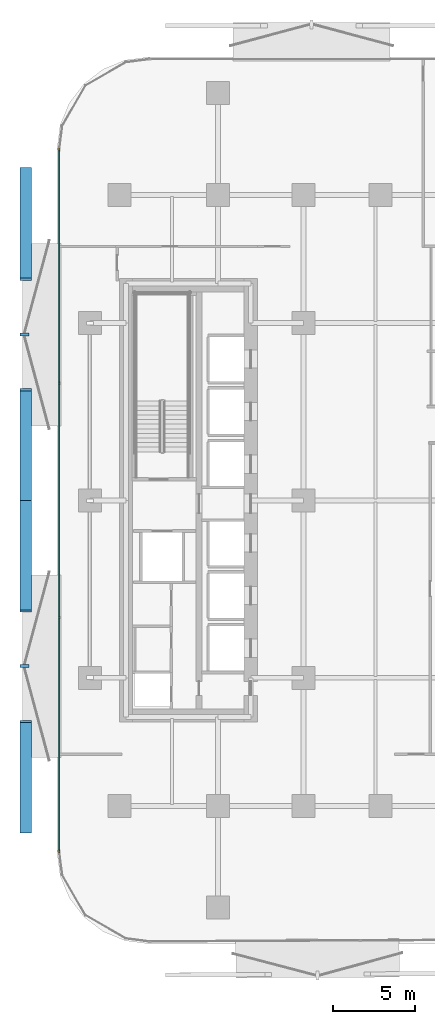
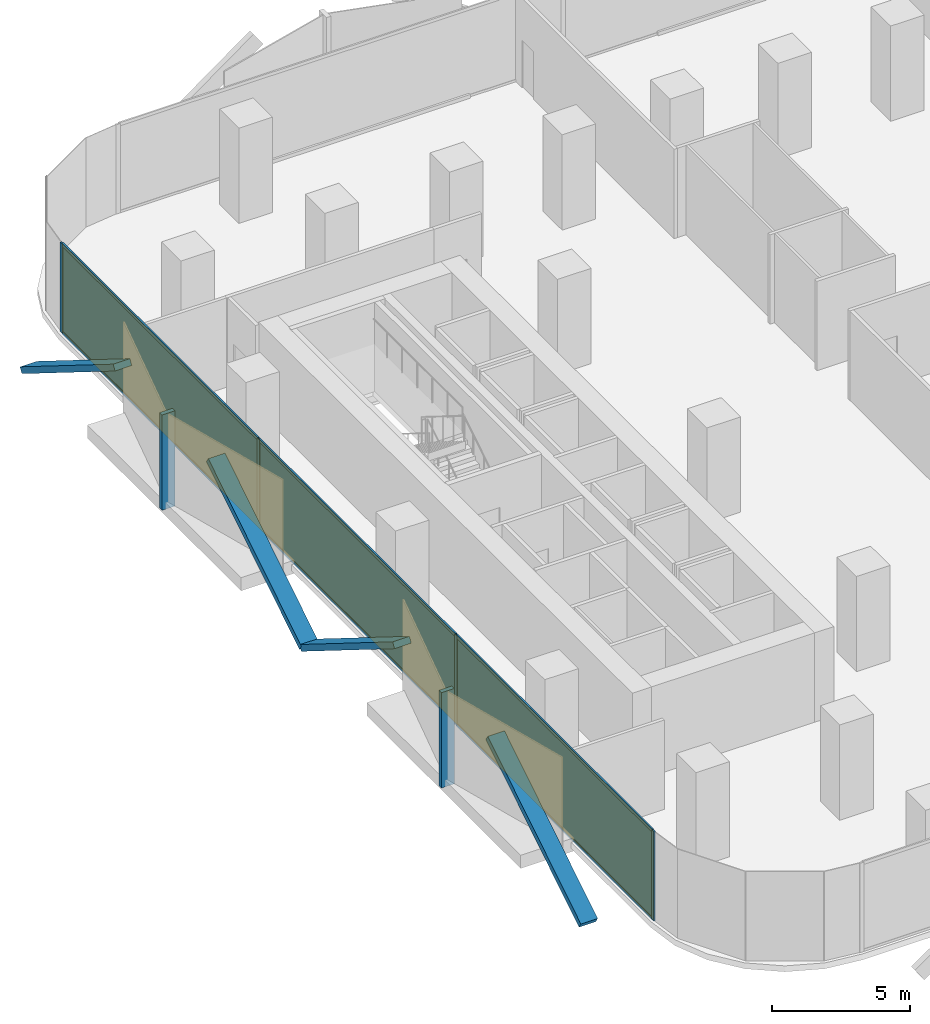
# One storey, part 7 of 14: 16 members, 3 plates, 1 curtain wall.
"""IFC4 building model written with IfcOpenShell, lengths in metres."""

from ifc_helpers import new_model, si_unit, direction, frame, frame_2d, origin, origin_2d, place, context, subcontext, project, spatial, rectangle, extrude, material, layer, layer_set, material_profile, profile_set, type_object, element, aggregate, save


model = new_model("IFC4")

# Units and contexts
model_context = context("Model", 3, precision=1e-05, world=origin(), true_north=direction((0.0, 1.0)))
body_context = subcontext(model_context, "Body", "Model", "MODEL_VIEW")
ifc_project = project(units=[si_unit("LENGTHUNIT", "METRE"), si_unit("AREAUNIT", "SQUARE_METRE"), si_unit("VOLUMEUNIT", "CUBIC_METRE"), si_unit("PLANEANGLEUNIT", "RADIAN"), si_unit("MASSUNIT", "GRAM", prefix="KILO")], contexts=[model_context])

# Member
ifc_material_1 = material(Name="Anodised Bronze Aluminium 6063-T6", Category="aluminium")
ifc_material_profile_1 = material_profile(ifc_material_1, rectangle(XDim=0.260009765625, YDim=0.699951171875, at=origin_2d()))
ifc_profile_set_1 = profile_set([ifc_material_profile_1], Name="Anodised Bronze Aluminium 6063-T6")
member_type_1 = type_object("IfcMemberType", Name="Bronze Diamond Solar-Screen Lattice Rib BDL-700", PredefinedType="MULLION", material=ifc_profile_set_1)
site_placement = place(None, origin())
building_placement = place(site_placement, origin())
storey_placement = place(building_placement, frame((0.0, 0.0, 63.800048828125)))
member_1_placement = place(storey_placement, frame((-26.10009765625, -20.19091796875, -0.130126953125), z_axis=(0.0, 0.848357706665, 0.529423461458), x_axis=(0.0, -0.529423461458, 0.848357706665)))
member_1 = element("IfcMember", 1, at=member_1_placement, type_object=member_type_1, Name="L15 Bronze Diamond Solar Screen Lattice Rib 75A", PredefinedType="MULLION", context=body_context, shape_type="SweptSolid", body=[
    extrude(rectangle(XDim=0.260009765625, YDim=0.699951171875, at=origin_2d()), origin(), (0.0, 0.0, 1.0), 7.93359375),
])

member_2_placement = place(storey_placement, frame((-26.10009765625, 0.0, -0.130126953125), z_axis=(0.0, -0.84834908091, 0.529437283273), x_axis=(0.0, 0.529437283273, 0.84834908091)))
member_2 = element("IfcMember", 2, at=member_2_placement, type_object=member_type_1, Name="L15 Bronze Diamond Solar Screen Lattice Rib 75B", PredefinedType="MULLION", context=body_context, shape_type="SweptSolid", body=[
    extrude(rectangle(XDim=0.260009765625, YDim=0.699951171875, at=origin_2d()), origin(), (0.0, 0.0, 1.0), 7.933349609375),
])

member_3_placement = place(storey_placement, frame((-26.10009765625, 0.0, -0.130126953125), z_axis=(0.0, 0.84834908091, 0.529437283273), x_axis=(0.0, -0.529437283273, 0.84834908091)))
member_3 = element("IfcMember", 3, at=member_3_placement, type_object=member_type_1, Name="L15 Bronze Diamond Solar Screen Lattice Rib 76A", PredefinedType="MULLION", context=body_context, shape_type="SweptSolid", body=[
    extrude(rectangle(XDim=0.260009765625, YDim=0.699951171875, at=origin_2d()), origin(), (0.0, 0.0, 1.0), 7.933349609375),
])

member_4_placement = place(storey_placement, frame((-26.10009765625, 20.19091796875, -0.130126953125), z_axis=(0.0, -0.848357706665, 0.529423461458), x_axis=(0.0, 0.529423461458, 0.848357706665)))
member_4 = element("IfcMember", 4, at=member_4_placement, type_object=member_type_1, Name="L15 Bronze Diamond Solar Screen Lattice Rib 76B", PredefinedType="MULLION", context=body_context, shape_type="SweptSolid", body=[
    extrude(rectangle(XDim=0.260009765625, YDim=0.699951171875, at=origin_2d()), origin(), (0.0, 0.0, 1.0), 7.93359375),
])

ifc_material_2 = material(Name="Anodised Bronze Aluminium 6063-T6", Category="aluminium")
ifc_material_profile_2 = material_profile(ifc_material_2, rectangle(XDim=0.179931640625, YDim=0.5400390625, at=origin_2d()))
ifc_profile_set_2 = profile_set([ifc_material_profile_2], Name="Anodised Bronze Aluminium 6063-T6")
member_type_2 = type_object("IfcMemberType", Name="Bronze Solar-Screen Vertical Fold Fin BSF-540", PredefinedType="MULLION", material=ifc_profile_set_2)
member_5_placement = place(storey_placement, frame((-26.179931640625, -10.095458984375, -0.130126953125), z_axis=(0.0, 0.0, 1.0), x_axis=(0.0, 1.0, 0.0)))
member_5 = element("IfcMember", 5, at=member_5_placement, type_object=member_type_2, Name="L15 Bronze Solar Screen Vertical Fin 75", PredefinedType="MULLION", context=body_context, shape_type="SweptSolid", body=[
    extrude(rectangle(XDim=0.179931640625, YDim=0.5400390625, at=origin_2d()), origin(), (0.0, 0.0, 1.0), 4.2001953125),
])

member_6_placement = place(storey_placement, frame((-26.179931640625, 10.095458984375, -0.130126953125), z_axis=(0.0, 0.0, 1.0), x_axis=(0.0, 1.0, 0.0)))
member_6 = element("IfcMember", 6, at=member_6_placement, type_object=member_type_2, Name="L15 Bronze Solar Screen Vertical Fin 76", PredefinedType="MULLION", context=body_context, shape_type="SweptSolid", body=[
    extrude(rectangle(XDim=0.179931640625, YDim=0.5400390625, at=origin_2d()), origin(), (0.0, 0.0, 1.0), 4.2001953125),
])

ifc_material_3 = material(Name="Anodised Bronze Aluminium 6063-T6", Category="aluminium")
ifc_material_profile_3 = material_profile(ifc_material_3, rectangle(XDim=0.06494140625, YDim=0.179931640625, at=origin_2d()))
ifc_profile_set_3 = profile_set([ifc_material_profile_3], Name="Anodised Bronze Aluminium 6063-T6")
member_type_3 = type_object("IfcMemberType", Name="CW-Z1 Mullion 65x180", PredefinedType="MULLION", material=ifc_profile_set_3)
member_7_placement = place(storey_placement, frame((-24.06005859375, -21.3583984375, 0.0), z_axis=(0.0, 0.0, 1.0), x_axis=(-1.0, 0.0, 0.0)))
member_7 = element("IfcMember", 7, at=member_7_placement, type_object=member_type_3, Name="CW-Z1 mullion 1", PredefinedType="MULLION", context=body_context, shape_type="SweptSolid", body=[
    extrude(rectangle(XDim=0.06494140625, YDim=0.179931640625, at=origin_2d()), origin(), (0.0, 0.0, 1.0), 3.93994140625),
])

member_8_placement = place(storey_placement, frame((-24.06005859375, -7.13037109375, 0.0), z_axis=(0.0, 0.0, 1.0), x_axis=(-1.0, 0.0, 0.0)))
member_8 = element("IfcMember", 8, at=member_8_placement, type_object=member_type_3, Name="CW-Z1 mullion 2", PredefinedType="MULLION", context=body_context, shape_type="SweptSolid", body=[
    extrude(rectangle(XDim=0.06494140625, YDim=0.179931640625, at=origin_2d()), origin(), (0.0, 0.0, 1.0), 3.93994140625),
])

member_9_placement = place(storey_placement, frame((-24.06005859375, 7.13037109375, 0.0), z_axis=(0.0, 0.0, 1.0), x_axis=(-1.0, 0.0, 0.0)))
member_9 = element("IfcMember", 9, at=member_9_placement, type_object=member_type_3, Name="CW-Z1 mullion 3", PredefinedType="MULLION", context=body_context, shape_type="SweptSolid", body=[
    extrude(rectangle(XDim=0.06494140625, YDim=0.179931640625, at=origin_2d()), origin(), (0.0, 0.0, 1.0), 3.93994140625),
])

member_10_placement = place(storey_placement, frame((-24.06005859375, 21.3583984375, 0.0), z_axis=(0.0, 0.0, 1.0), x_axis=(-1.0, 0.0, 0.0)))
member_10 = element("IfcMember", 10, at=member_10_placement, type_object=member_type_3, Name="CW-Z1 mullion 4", PredefinedType="MULLION", context=body_context, shape_type="SweptSolid", body=[
    extrude(rectangle(XDim=0.06494140625, YDim=0.179931640625, at=origin_2d()), origin(), (0.0, 0.0, 1.0), 3.93994140625),
])

ifc_material_4 = material(Name="Anodised Bronze Aluminium 6063-T6", Category="aluminium")
ifc_material_profile_4 = material_profile(ifc_material_4, rectangle(XDim=0.06494140625, YDim=0.139892578125, at=origin_2d()))
ifc_profile_set_4 = profile_set([ifc_material_profile_4], Name="Anodised Bronze Aluminium 6063-T6")
member_type_4 = type_object("IfcMemberType", Name="CW-Z1 Transom 65x140", PredefinedType="USERDEFINED", material=ifc_profile_set_4)
member_11_placement = place(storey_placement, frame((-24.06005859375, -21.32568359375, 0.032470703125), z_axis=(0.0, 1.0, 0.0), x_axis=(-1.0, 0.0, 0.0)))
member_11 = element("IfcMember", 11, at=member_11_placement, type_object=member_type_4, Name="CW-Z1 transom 1.1", ObjectType="TRANSOM", PredefinedType="USERDEFINED", context=body_context, shape_type="SweptSolid", body=[
    extrude(rectangle(XDim=0.06494140625, YDim=0.139892578125, at=origin_2d()), origin(), (0.0, 0.0, 1.0), 14.162841796875),
])

member_12_placement = place(storey_placement, frame((-24.06005859375, -21.32568359375, 3.907470703125), z_axis=(0.0, 1.0, 0.0), x_axis=(-1.0, 0.0, 0.0)))
member_12 = element("IfcMember", 12, at=member_12_placement, type_object=member_type_4, Name="CW-Z1 transom 1.2", ObjectType="TRANSOM", PredefinedType="USERDEFINED", context=body_context, shape_type="SweptSolid", body=[
    extrude(rectangle(XDim=0.06494140625, YDim=0.139892578125, at=origin_2d()), origin(), (0.0, 0.0, 1.0), 14.162841796875),
])

member_13_placement = place(storey_placement, frame((-24.06005859375, -7.09765625, 0.032470703125), z_axis=(0.0, 1.0, 0.0), x_axis=(-1.0, 0.0, 0.0)))
member_13 = element("IfcMember", 13, at=member_13_placement, type_object=member_type_4, Name="CW-Z1 transom 2.1", ObjectType="TRANSOM", PredefinedType="USERDEFINED", context=body_context, shape_type="SweptSolid", body=[
    extrude(rectangle(XDim=0.06494140625, YDim=0.139892578125, at=origin_2d()), origin(), (0.0, 0.0, 1.0), 14.1953125),
])

member_14_placement = place(storey_placement, frame((-24.06005859375, -7.09765625, 3.907470703125), z_axis=(0.0, 1.0, 0.0), x_axis=(-1.0, 0.0, 0.0)))
member_14 = element("IfcMember", 14, at=member_14_placement, type_object=member_type_4, Name="CW-Z1 transom 2.2", ObjectType="TRANSOM", PredefinedType="USERDEFINED", context=body_context, shape_type="SweptSolid", body=[
    extrude(rectangle(XDim=0.06494140625, YDim=0.139892578125, at=origin_2d()), origin(), (0.0, 0.0, 1.0), 14.1953125),
])

member_15_placement = place(storey_placement, frame((-24.06005859375, 7.162841796875, 0.032470703125), z_axis=(0.0, 1.0, 0.0), x_axis=(-1.0, 0.0, 0.0)))
member_15 = element("IfcMember", 15, at=member_15_placement, type_object=member_type_4, Name="CW-Z1 transom 3.1", ObjectType="TRANSOM", PredefinedType="USERDEFINED", context=body_context, shape_type="SweptSolid", body=[
    extrude(rectangle(XDim=0.06494140625, YDim=0.139892578125, at=origin_2d()), origin(), (0.0, 0.0, 1.0), 14.162841796875),
])

member_16_placement = place(storey_placement, frame((-24.06005859375, 7.162841796875, 3.907470703125), z_axis=(0.0, 1.0, 0.0), x_axis=(-1.0, 0.0, 0.0)))
member_16 = element("IfcMember", 16, at=member_16_placement, type_object=member_type_4, Name="CW-Z1 transom 3.2", ObjectType="TRANSOM", PredefinedType="USERDEFINED", context=body_context, shape_type="SweptSolid", body=[
    extrude(rectangle(XDim=0.06494140625, YDim=0.139892578125, at=origin_2d()), origin(), (0.0, 0.0, 1.0), 14.162841796875),
])

# Plate
ifc_material_5 = material(Name="Low-E Solar Control Laminated Glass", Category="glass")
ifc_layer_1 = layer(ifc_material_5, 0.028076171875, Name="Low-E Solar Control Laminated Glass")
ifc_layer_set_1 = layer_set([ifc_layer_1], Name="Low-E Solar Control Laminated Glass")
plate_type = type_object("IfcPlateType", Name="CW-Z1 Low-E Double Glazed Panel 28mm", PredefinedType="CURTAIN_PANEL", material=ifc_layer_set_1)
plate_1_placement = place(storey_placement, frame((-24.06005859375, -14.244384765625, 0.06494140625), z_axis=(0.0, 0.0, 1.0), x_axis=(0.0, 1.0, 0.0)))
plate_1 = element("IfcPlate", 17, at=plate_1_placement, type_object=plate_type, Name="CW-Z1 panel 1.1", PredefinedType="CURTAIN_PANEL", context=body_context, shape_type="SweptSolid", body=[
    extrude(rectangle(XDim=14.1630859375, YDim=0.028076171875, at=origin_2d()), origin(), (0.0, 0.0, 1.0), 3.81005859375),
])

plate_2_placement = place(storey_placement, frame((-24.06005859375, 0.0, 0.06494140625), z_axis=(0.0, 0.0, 1.0), x_axis=(0.0, 1.0, 0.0)))
plate_2 = element("IfcPlate", 18, at=plate_2_placement, type_object=plate_type, Name="CW-Z1 panel 2.1", PredefinedType="CURTAIN_PANEL", context=body_context, shape_type="SweptSolid", body=[
    extrude(rectangle(XDim=14.195556640625, YDim=0.028076171875, at=origin_2d()), origin(), (0.0, 0.0, 1.0), 3.81005859375),
])

plate_3_placement = place(storey_placement, frame((-24.06005859375, 14.244384765625, 0.06494140625), z_axis=(0.0, 0.0, 1.0), x_axis=(0.0, 1.0, 0.0)))
plate_3 = element("IfcPlate", 19, at=plate_3_placement, type_object=plate_type, Name="CW-Z1 panel 3.1", PredefinedType="CURTAIN_PANEL", context=body_context, shape_type="SweptSolid", body=[
    extrude(rectangle(XDim=14.1630859375, YDim=0.028076171875, at=origin_2d()), origin(), (0.0, 0.0, 1.0), 3.81005859375),
])

# Site, building, storey
site = spatial("IfcSite", under=ifc_project, at=site_placement, CompositionType="ELEMENT")
building = spatial("IfcBuilding", under=site, at=building_placement, Name="Khairoan Windgate Tower", CompositionType="ELEMENT")
storey = spatial("IfcBuildingStorey", under=building, at=storey_placement, Name="L15", CompositionType="ELEMENT", Elevation=63.800048828125)

# Curtain wall
ifc_material_6 = material(Name="Anodised Bronze Aluminium 6063-T6", Category="aluminium")
ifc_layer_2 = layer(ifc_material_6, 0.179931640625, Name="Anodised Bronze Aluminium 6063-T6")
ifc_layer_set_2 = layer_set([ifc_layer_2], Name="Anodised Bronze Aluminium 6063-T6")
curtain_wall_type = type_object("IfcCurtainWallType", Name="Low-Rise Office Unitised Curtain Wall CW-Z1", PredefinedType="NOTDEFINED", material=ifc_layer_set_2)
curtain_wall_placement = place(storey_placement, frame((-24.06005859375, -21.390869140625, 0.0), z_axis=(0.0, 0.0, 1.0), x_axis=(0.0, 1.0, 0.0)))
curtain_wall = element("IfcCurtainWall", 20, at=curtain_wall_placement, inside=storey, type_object=curtain_wall_type, Name="L15 Unitised Curtain Wall 6", PredefinedType="NOTDEFINED", context=body_context, shape_type="SweptSolid", body=[
    extrude(rectangle(XDim=42.78173828125, YDim=0.010009765625, at=frame_2d((21.390869140625, 0.0))), origin(), (0.0, 0.0, 1.0), 3.93994140625),
])

aggregate(curtain_wall, [member_7, member_8, member_9, member_10, member_11, member_12, plate_1, member_13, member_14, plate_2, member_15, member_16, plate_3, member_1, member_2, member_5, member_3, member_4, member_6])

save(model, "model.ifc")
